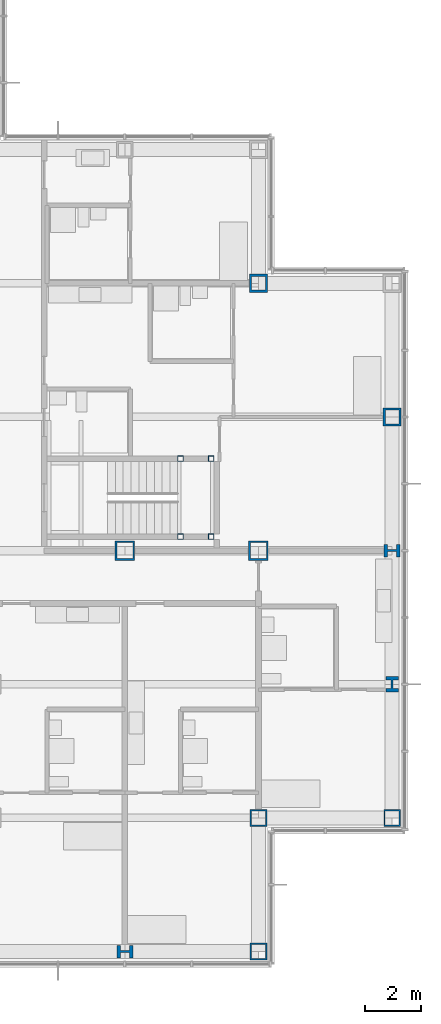
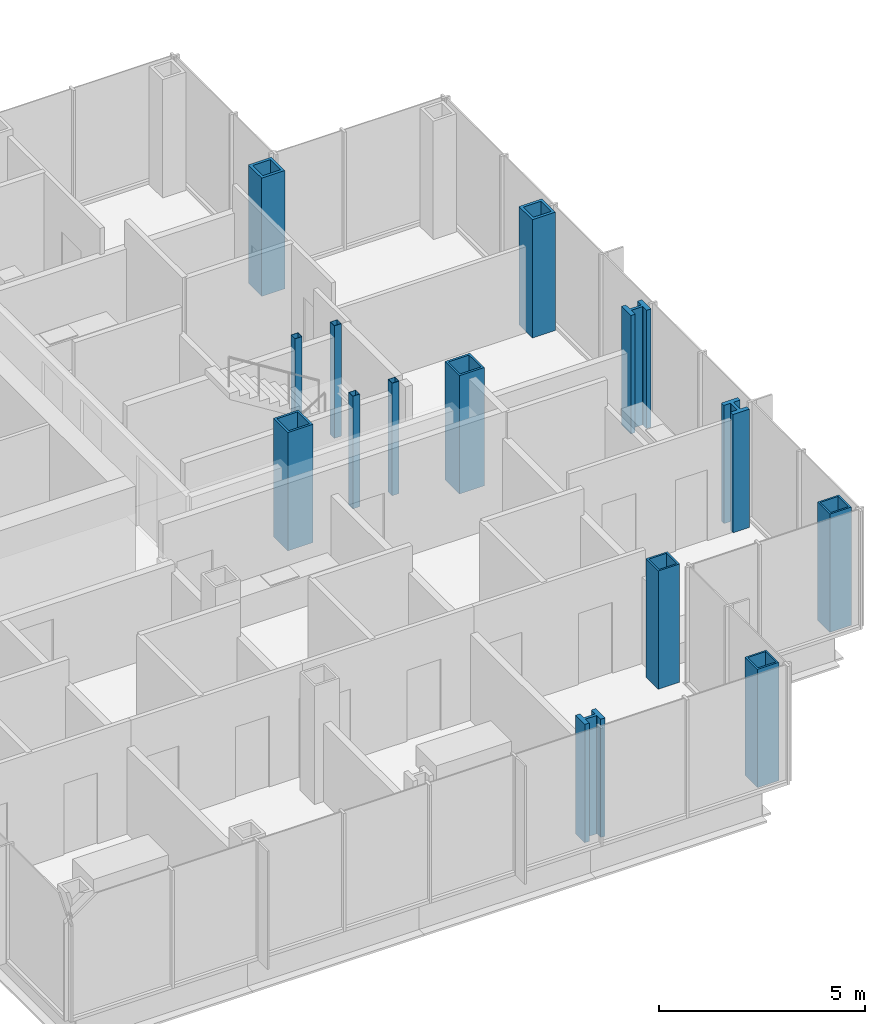
# One storey, part 4 of 19: 14 columns.
"""IFC4 building model written with IfcOpenShell, lengths in metres."""

from ifc_helpers import new_model, si_unit, direction, frame, origin, origin_2d, place, context, subcontext, project, spatial, hollow_rectangle, i_section, extrude, material, material_profile, profile_set, type_object, element, save


model = new_model("IFC4")

# Units and contexts
model_context = context("Model", 3, precision=1e-05, world=origin(), true_north=direction((0.0, 1.0)))
body_context = subcontext(model_context, "Body", "Model", "MODEL_VIEW")
ifc_project = project(units=[si_unit("LENGTHUNIT", "METRE"), si_unit("AREAUNIT", "SQUARE_METRE"), si_unit("VOLUMEUNIT", "CUBIC_METRE"), si_unit("PLANEANGLEUNIT", "RADIAN"), si_unit("MASSUNIT", "GRAM", prefix="KILO")], contexts=[model_context])

# Site, building, storey
site_placement = place(None, origin())
site = spatial("IfcSite", under=ifc_project, at=site_placement, CompositionType="ELEMENT")
building_placement = place(site_placement, origin())
building = spatial("IfcBuilding", under=site, at=building_placement, Name="Kvirike Care Tower", CompositionType="ELEMENT")
storey_placement = place(building_placement, frame((0.0, 0.0, 87.5)))
storey = spatial("IfcBuildingStorey", under=building, at=storey_placement, Name="L23", CompositionType="ELEMENT", Elevation=87.5)

# Columns
ifc_material_1 = material(Name="Steel S460", Category="steel")
ifc_material_profile_1 = material_profile(ifc_material_1, hollow_rectangle(XDim=0.60009765625, YDim=0.60009765625, WallThickness=0.050048828125, at=origin_2d()), Name="BX 600x600x50")
ifc_profile_set_1 = profile_set([ifc_material_profile_1], Name="Steel S460")
column_type_1 = type_object("IfcColumnType", Name="COLUMN BX 600x600x50", PredefinedType="COLUMN", material=ifc_profile_set_1)
for number, where, z_axis, x_axis, name in (
    (1, (38.39990234375, 14.39990234375, 0.0), (0.0, 0.0, 1.0), (0.0, 1.0, 0.0), "Column D11 L23"),
    (2, (38.39990234375, 19.199951171875, 0.0), (0.0, 0.0, 1.0), (0.0, 1.0, 0.0), "Column E11 L23"),
    (3, (43.199951171875, 19.199951171875, 0.0), (0.0, 0.0, 1.0), (0.0, 1.0, 0.0), "Column E12 L23"),
):
    element("IfcColumn", number, at=place(storey_placement, frame(where, z_axis=z_axis, x_axis=x_axis)), inside=storey, type_object=column_type_1, Name=name, PredefinedType="COLUMN", context=body_context, shape_type="SweptSolid", body=[
        extrude(hollow_rectangle(XDim=0.60009765625, YDim=0.60009765625, WallThickness=0.050048828125, at=origin_2d()), origin(), (0.0, 0.0, 1.0), 3.5),
    ])
ifc_material_2 = material(Name="Steel S460", Category="steel")
ifc_material_profile_2 = material_profile(ifc_material_2, hollow_rectangle(XDim=0.64990234375, YDim=0.64990234375, WallThickness=0.080078125, at=origin_2d()), Name="BX 650x650x80")
ifc_profile_set_2 = profile_set([ifc_material_profile_2], Name="Steel S460")
column_type_2 = type_object("IfcColumnType", Name="COLUMN BX 650x650x80", PredefinedType="COLUMN", material=ifc_profile_set_2)
for number, where, z_axis, x_axis, name in (
    (4, (38.39990234375, 38.39990234375, 0.0), (0.0, 0.0, 1.0), (0.0, 1.0, 0.0), "Column J11 L23"),
    (5, (43.199951171875, 33.60009765625, 0.0), (0.0, 0.0, 1.0), (1.0, 0.0, 0.0), "Column H12 L23"),
):
    element("IfcColumn", number, at=place(storey_placement, frame(where, z_axis=z_axis, x_axis=x_axis)), inside=storey, type_object=column_type_2, Name=name, PredefinedType="COLUMN", context=body_context, shape_type="SweptSolid", body=[
        extrude(hollow_rectangle(XDim=0.64990234375, YDim=0.64990234375, WallThickness=0.080078125, at=origin_2d()), origin(), (0.0, 0.0, 1.0), 3.5),
    ])
ifc_material_3 = material(Name="Steel S460", Category="steel")
ifc_material_profile_3 = material_profile(ifc_material_3, hollow_rectangle(XDim=0.699951171875, YDim=0.699951171875, WallThickness=0.06005859375, at=origin_2d()), Name="BX 700x700x60")
ifc_profile_set_3 = profile_set([ifc_material_profile_3], Name="Steel S460")
column_type_3 = type_object("IfcColumnType", Name="COLUMN BX 700x700x60", PredefinedType="COLUMN", material=ifc_profile_set_3)
for number, where, z_axis, x_axis, name in (
    (6, (33.60009765625, 28.800048828125, 0.0), (0.0, 0.0, 1.0), (0.0, 1.0, 0.0), "Column G10 L23"),
    (7, (38.39990234375, 28.800048828125, 0.0), (0.0, 0.0, 1.0), (0.0, 1.0, 0.0), "Column G11 L23"),
):
    element("IfcColumn", number, at=place(storey_placement, frame(where, z_axis=z_axis, x_axis=x_axis)), inside=storey, type_object=column_type_3, Name=name, PredefinedType="COLUMN", context=body_context, shape_type="SweptSolid", body=[
        extrude(hollow_rectangle(XDim=0.699951171875, YDim=0.699951171875, WallThickness=0.06005859375, at=origin_2d()), origin(), (0.0, 0.0, 1.0), 3.5),
    ])
ifc_material_4 = material(Name="Steel S460", Category="steel")
ifc_material_profile_4 = material_profile(ifc_material_4, i_section(OverallWidth=0.4541015625, OverallDepth=0.569091796875, WebThickness=0.077880859375, FlangeThickness=0.125, FilletRadius=0.014892578125, at=origin_2d()), Name="HD 400x1086")
ifc_profile_set_4 = profile_set([ifc_material_profile_4], Name="Steel S460")
column_type_4 = type_object("IfcColumnType", Name="COLUMN HD 400x1086", PredefinedType="COLUMN", material=ifc_profile_set_4)
for number, where, z_axis, x_axis, name in (
    (8, (33.60009765625, 14.39990234375, 0.0), (0.0, 0.0, 1.0), (0.0, 1.0, 0.0), "Column D10 L23"),
    (9, (43.199951171875, 24.0, 0.0), (0.0, 0.0, 1.0), (1.0, 0.0, 0.0), "Column F12 L23"),
    (10, (43.199951171875, 28.800048828125, 0.0), (0.0, 0.0, 1.0), (0.0, 1.0, 0.0), "Column G12 L23"),
):
    element("IfcColumn", number, at=place(storey_placement, frame(where, z_axis=z_axis, x_axis=x_axis)), inside=storey, type_object=column_type_4, Name=name, PredefinedType="COLUMN", context=body_context, shape_type="SweptSolid", body=[
        extrude(i_section(OverallWidth=0.4541015625, OverallDepth=0.569091796875, WebThickness=0.077880859375, FlangeThickness=0.125, FilletRadius=0.014892578125, at=origin_2d()), origin(), (0.0, 0.0, 1.0), 3.5),
    ])
ifc_material_5 = material(Name="Steel S460", Category="steel")
ifc_material_profile_5 = material_profile(ifc_material_5, hollow_rectangle(XDim=0.199951171875, YDim=0.199951171875, WallThickness=0.008056640625, at=origin_2d()), Name="SHS 200x200x8")
ifc_profile_set_5 = profile_set([ifc_material_profile_5], Name="Steel S460")
column_type_5 = type_object("IfcColumnType", Name="STAIR POST SHS 200x200x8", PredefinedType="COLUMN", material=ifc_profile_set_5)
for number, where, z_axis, x_axis, name in (
    (11, (36.699951171875, 29.300048828125, 0.0), (0.0, 0.0, 1.0), (1.0, 0.0, 0.0), "Stair 2 post 1 L23"),
    (12, (36.699951171875, 32.10009765625, 0.0), (0.0, 0.0, 1.0), (1.0, 0.0, 0.0), "Stair 2 post 2 L23"),
    (13, (35.60009765625, 29.300048828125, 0.0), (0.0, 0.0, 1.0), (1.0, 0.0, 0.0), "Stair 2 post 3 L23"),
    (14, (35.60009765625, 32.10009765625, 0.0), (0.0, 0.0, 1.0), (1.0, 0.0, 0.0), "Stair 2 post 4 L23"),
):
    element("IfcColumn", number, at=place(storey_placement, frame(where, z_axis=z_axis, x_axis=x_axis)), inside=storey, type_object=column_type_5, Name=name, PredefinedType="COLUMN", context=body_context, shape_type="SweptSolid", body=[
        extrude(hollow_rectangle(XDim=0.199951171875, YDim=0.199951171875, WallThickness=0.008056640625, at=origin_2d()), origin(), (0.0, 0.0, 1.0), 3.330078125),
    ])

save(model, "model.ifc")
